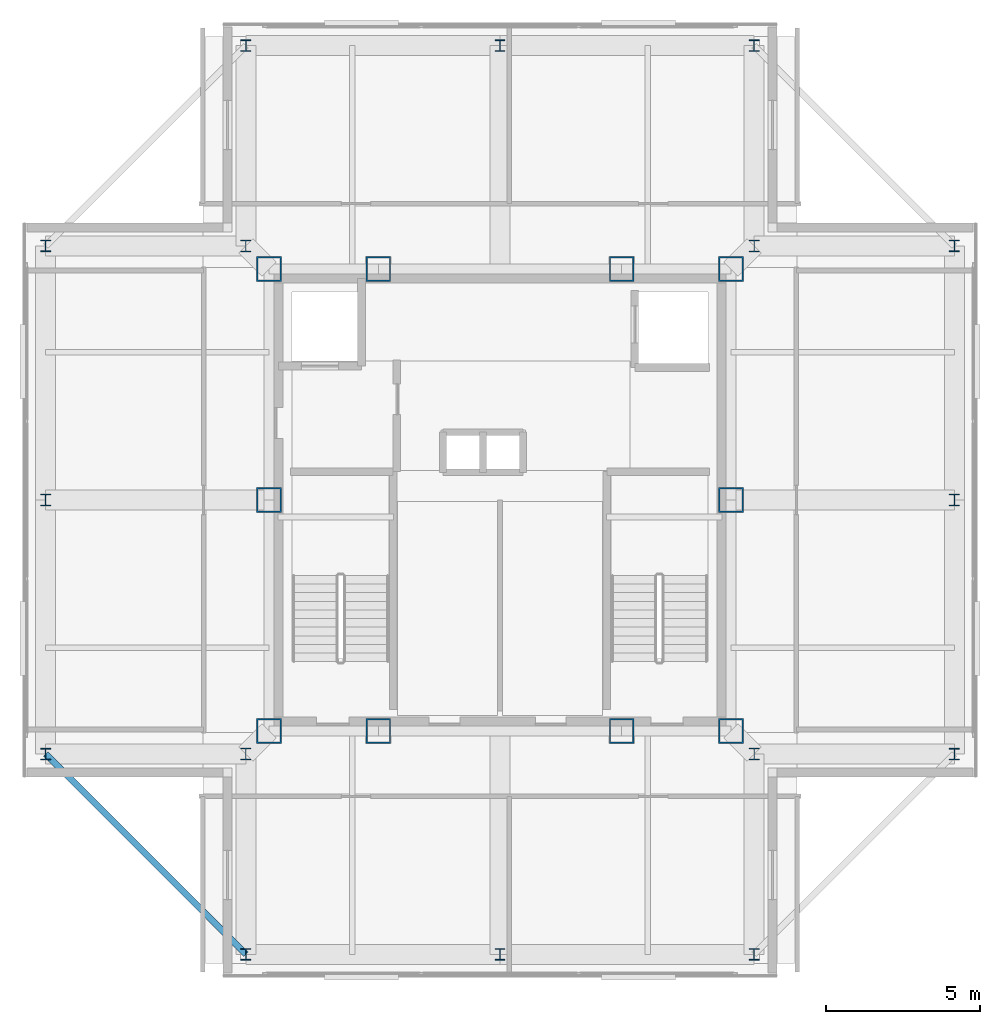
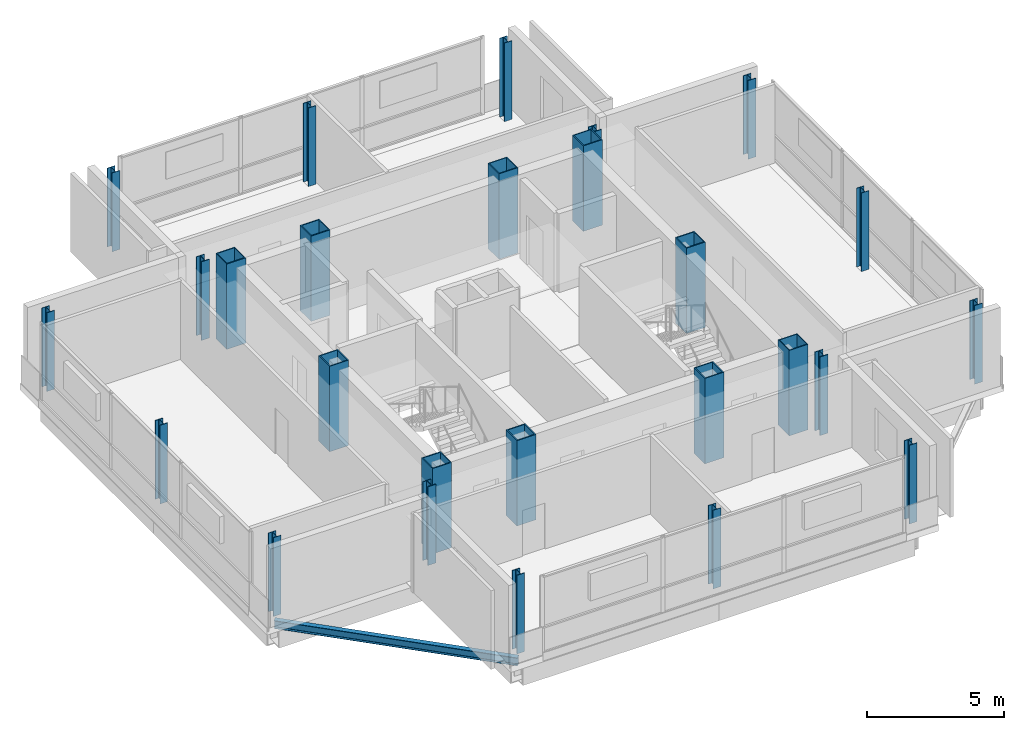
# One storey, part 1 of 10: 26 columns, 1 beam.
"""IFC4 building model written with IfcOpenShell, lengths in metres."""

import ifcopenshell
import ifcopenshell.guid

model = None  # the IFC model being written
_history = None  # IfcOwnerHistory: only IFC2X3 demands one
_inside = {}  # id of a spatial element -> (the spatial element, [elements in it])
_under = {}  # id of a project, library or spatial element -> (it, [spatial elements below it])
_declared = {}  # id of a project -> (the project, [libraries it declares])
_typed = {}  # id of a type object -> (the type object, [elements of that type])
_made_of = {}  # id of a material, layer set ... -> (it, [elements and type objects made of it])


def new_model(schema):
    """Start an empty IFC model of exactly this schema.

    Asked for "IFC4X3", IfcOpenShell would pick the latest addendum, in which some entities
    have other attributes; the version numbers below select the first issue.
    IFC2X3 requires an IfcOwnerHistory on every rooted entity: one is made here for all.
    """
    global model, _history
    if schema == "IFC4X3":
        model = ifcopenshell.file(schema_version=(4, 3, 0, 0))
    else:
        model = ifcopenshell.file(schema=schema)
    _inside.clear()
    _under.clear()
    _declared.clear()
    _typed.clear()
    _made_of.clear()
    _history = None
    if model.schema == "IFC2X3":
        org = make("IfcOrganization", Name="unknown")
        user = make(
            "IfcPersonAndOrganization",
            ThePerson=make("IfcPerson", FamilyName="unknown"),
            TheOrganization=org,
        )
        app = make(
            "IfcApplication",
            ApplicationDeveloper=org,
            Version="unknown",
            ApplicationFullName="unknown",
            ApplicationIdentifier="unknown",
        )
        _history = make(
            "IfcOwnerHistory",
            OwningUser=user,
            OwningApplication=app,
            ChangeAction="ADDED",
            CreationDate=0,
        )
    return model


def make(cls, **values):
    """One entity of the class cls with the attributes given. An attribute that is None is left unset."""
    return model.create_entity(
        cls, **{name: value for name, value in values.items() if value is not None}
    )


def rooted(cls, **values):
    """An entity with a GlobalId (a new one), such as an element, a storey or a relation."""
    return make(cls, GlobalId=ifcopenshell.guid.new(), OwnerHistory=_history, **values)


def si_unit(unit_type, name, prefix=None):
    """IfcSIUnit, for example si_unit("LENGTHUNIT", "METRE", prefix="MILLI")."""
    return make("IfcSIUnit", UnitType=unit_type, Prefix=prefix, Name=name)


def assignment(units):
    """IfcUnitAssignment: the units of a project."""
    return None if units is None else make("IfcUnitAssignment", Units=units)


def point(xyz):
    """IfcCartesianPoint."""
    return None if xyz is None else make("IfcCartesianPoint", Coordinates=xyz)


def direction(xyz):
    """IfcDirection."""
    return None if xyz is None else make("IfcDirection", DirectionRatios=xyz)


def frame(location, z_axis=None, x_axis=None):
    """IfcAxis2Placement3D, a coordinate frame: its origin and axes. An axis left out is left unset."""
    return make(
        "IfcAxis2Placement3D",
        Location=point(location),
        Axis=direction(z_axis),
        RefDirection=direction(x_axis),
    )


def frame_2d(location, x_axis=None):
    """IfcAxis2Placement2D, a coordinate frame in the plane: its origin and x axis."""
    return make(
        "IfcAxis2Placement2D", Location=point(location), RefDirection=direction(x_axis)
    )


def origin():
    """The frame at (0, 0, 0) with its axes left unset."""
    return frame((0.0, 0.0, 0.0))


def origin_2d():
    """The frame at (0, 0) in the plane with its x axis left unset."""
    return frame_2d((0.0, 0.0))


def place(relative_to, where):
    """IfcLocalPlacement: puts the frame where relative to a parent placement (None: the world)."""
    return make(
        "IfcLocalPlacement", PlacementRelTo=relative_to, RelativePlacement=where
    )


def context(
    kind, dimensions, precision=None, world=None, true_north=None, identifier=None
):
    """IfcGeometricRepresentationContext, for example the 3D "Model" context."""
    return make(
        "IfcGeometricRepresentationContext",
        ContextIdentifier=identifier,
        ContextType=kind,
        CoordinateSpaceDimension=dimensions,
        Precision=precision,
        WorldCoordinateSystem=world,
        TrueNorth=true_north,
    )


def subcontext(parent, identifier, kind, view, scale=None):
    """IfcGeometricRepresentationSubContext, for example "Body" below "Model"."""
    return make(
        "IfcGeometricRepresentationSubContext",
        ContextIdentifier=identifier,
        ContextType=kind,
        ParentContext=parent,
        TargetScale=scale,
        TargetView=view,
    )


def project(units=None, contexts=None):
    """IfcProject with its units and contexts."""
    return rooted(
        "IfcProject",
        Name="project",
        RepresentationContexts=contexts,
        UnitsInContext=assignment(units),
    )


def spatial(cls, under=None, at=None, **own):
    """A site, building, storey or space (cls), placed at a placement, below another one or the project."""
    s = rooted(cls, ObjectPlacement=at, **own)
    if under is not None:
        _under.setdefault(under.id(), (under, []))[1].append(s)
    return s


def profile(cls, at=None, kind="AREA", **sizes):
    """A parametric profile (cls). Its sizes go by their IFC names, for example OverallWidth=200.0."""
    return make(cls, ProfileType=kind, Position=at, **sizes)


def hollow_rectangle(**sizes):
    """IfcRectangleHollowProfileDef."""
    return profile("IfcRectangleHollowProfileDef", **sizes)


def i_section(**sizes):
    """IfcIShapeProfileDef."""
    return profile("IfcIShapeProfileDef", **sizes)


def extrude(swept, where, along, depth):
    """IfcExtrudedAreaSolid: the profile swept, set in the frame where, extruded along a direction by depth."""
    return make(
        "IfcExtrudedAreaSolid",
        SweptArea=swept,
        Position=where,
        ExtrudedDirection=direction(along),
        Depth=depth,
    )


def shape(context_of_items, identifier, shape_type, items):
    """IfcShapeRepresentation: the items that make up one representation, for example the "Body"."""
    return make(
        "IfcShapeRepresentation",
        ContextOfItems=context_of_items,
        RepresentationIdentifier=identifier,
        RepresentationType=shape_type,
        Items=items,
    )


def material(Name=None, Category=None):
    """IfcMaterial."""
    return make("IfcMaterial", Name=Name, Category=Category)


def material_profile(
    of_material, cross_section, Name=None, Category=None, Priority=None
):
    """IfcMaterialProfile: a cross section and its material."""
    return make(
        "IfcMaterialProfile",
        Name=Name,
        Material=of_material,
        Profile=cross_section,
        Priority=Priority,
        Category=Category,
    )


def profile_set(profiles, Name=None, composite=None):
    """IfcMaterialProfileSet."""
    return make(
        "IfcMaterialProfileSet",
        Name=Name,
        MaterialProfiles=profiles,
        CompositeProfile=composite,
    )


def made_of(thing, what):
    """Note that an element or type object is made of a material, layer set ...; save() writes the relation."""
    if what is not None:
        _made_of.setdefault(what.id(), (what, []))[1].append(thing)
    return thing


def type_object(cls, material=None, **own):
    """A type object (cls), such as IfcWallType, which elements share."""
    return made_of(rooted(cls, **own), material)


def element(
    cls,
    number,
    at=None,
    inside=None,
    cuts=None,
    type_object=None,
    material=None,
    context=None,
    identifier="Body",
    shape_type=None,
    held_by="IfcProductDefinitionShape",
    body=None,
    shapes=None,
    **own,
):
    """One element of the class cls, such as IfcWall. Its Tag is "e" and its number.

    at: its placement. inside: the storey or other place that contains it. cuts: it is an
    opening in that element (IfcRelVoidsElement). A single representation is given by context,
    identifier, shape_type and body (its items); several are given by shapes. held_by: the class
    of the entity that holds the representations. save() writes the other relations.
    """
    e = rooted(cls, Tag="e%d" % number, ObjectPlacement=at, **own)
    if body is not None:
        shapes = [shape(context, identifier, shape_type, body)]
    if shapes is not None:
        e.Representation = make(held_by, Representations=shapes)
    if inside is not None:
        _inside.setdefault(inside.id(), (inside, []))[1].append(e)
    if cuts is not None:
        rooted(
            "IfcRelVoidsElement", RelatingBuildingElement=cuts, RelatedOpeningElement=e
        )
    if type_object is not None:
        _typed.setdefault(type_object.id(), (type_object, []))[1].append(e)
    return made_of(e, material)


def aggregate(whole, parts):
    """IfcRelAggregates: a whole, such as a stair, and the parts it consists of."""
    return rooted("IfcRelAggregates", RelatingObject=whole, RelatedObjects=parts)


def save(model, path):
    """Write the relations noted so far, then the file.

    IfcRelAggregates (storeys below a building ...), IfcRelContainedInSpatialStructure (elements
    in a storey), IfcRelDefinesByType, IfcRelAssociatesMaterial and IfcRelDeclares: one each for
    every whole, place, type object, material and project.
    """
    for whole, parts in _under.values():
        aggregate(whole, parts)
    for where, things in _inside.values():
        rooted(
            "IfcRelContainedInSpatialStructure",
            RelatedElements=things,
            RelatingStructure=where,
        )
    for kind, things in _typed.values():
        rooted("IfcRelDefinesByType", RelatedObjects=things, RelatingType=kind)
    for what, things in _made_of.values():
        rooted("IfcRelAssociatesMaterial", RelatedObjects=things, RelatingMaterial=what)
    for by, libraries in _declared.values():
        rooted("IfcRelDeclares", RelatingContext=by, RelatedDefinitions=libraries)
    model.write(path)


model = new_model("IFC4")

# Units and contexts
model_context = context("Model", 3, precision=1e-05, world=origin(), true_north=direction((0.0, 1.0)))
body_context = subcontext(model_context, "Body", "Model", "MODEL_VIEW")
ifc_project = project(units=[si_unit("LENGTHUNIT", "METRE"), si_unit("AREAUNIT", "SQUARE_METRE"), si_unit("VOLUMEUNIT", "CUBIC_METRE"), si_unit("PLANEANGLEUNIT", "RADIAN"), si_unit("MASSUNIT", "GRAM", prefix="KILO")], contexts=[model_context])

# Site, building, storey
site_placement = place(None, origin())
site = spatial("IfcSite", under=ifc_project, at=site_placement, CompositionType="ELEMENT")
building_placement = place(site_placement, origin())
building = spatial("IfcBuilding", under=site, at=building_placement, Name="Trevonay Congress Spire", CompositionType="ELEMENT")
storey_placement = place(building_placement, frame((0.0, 0.0, 319.800048828125)))
storey = spatial("IfcBuildingStorey", under=building, at=storey_placement, Name="L84", CompositionType="ELEMENT", Elevation=319.800048828125)

# Columns
ifc_material = material(Name="Steel ASTM A572 Grade 50", Category="steel")
ifc_material_profile_1 = material_profile(ifc_material, hollow_rectangle(XDim=0.800048828125, YDim=0.800048828125, WallThickness=0.0400390625, at=origin_2d()), Name="BOX 800x800x40")
ifc_profile_set_1 = profile_set([ifc_material_profile_1], Name="Steel ASTM A572 Grade 50")
column_type_1 = type_object("IfcColumnType", Name="COL-CORE-BOX800", PredefinedType="COLUMN", material=ifc_profile_set_1)
for number, where, z_axis, x_axis, name in (
    (1, (-7.5, -7.5, 0.0), (0.0, 0.0, 1.0), (1.0, 0.0, 0.0), "L84 column C05 at CC-SW"),
    (2, (-3.949951171875, -7.5, 0.0), (0.0, 0.0, 1.0), (1.0, 0.0, 0.0), "L84 column C05 at CC-SMW"),
    (3, (3.949951171875, -7.5, 0.0), (0.0, 0.0, 1.0), (1.0, 0.0, 0.0), "L84 column C05 at CC-SME"),
    (4, (7.5, -7.5, 0.0), (0.0, 0.0, 1.0), (1.0, 0.0, 0.0), "L84 column C05 at CC-SE"),
    (5, (7.5, 0.0, 0.0), (0.0, 0.0, 1.0), (1.0, 0.0, 0.0), "L84 column C05 at CC-E"),
    (6, (7.5, 7.5, 0.0), (0.0, 0.0, 1.0), (1.0, 0.0, 0.0), "L84 column C05 at CC-NE"),
    (7, (3.949951171875, 7.5, 0.0), (0.0, 0.0, 1.0), (1.0, 0.0, 0.0), "L84 column C05 at CC-NME"),
    (8, (-3.949951171875, 7.5, 0.0), (0.0, 0.0, 1.0), (1.0, 0.0, 0.0), "L84 column C05 at CC-NMW"),
    (9, (-7.5, 7.5, 0.0), (0.0, 0.0, 1.0), (1.0, 0.0, 0.0), "L84 column C05 at CC-NW"),
    (10, (-7.5, 0.0, 0.0), (0.0, 0.0, 1.0), (1.0, 0.0, 0.0), "L84 column C05 at CC-W"),
):
    element("IfcColumn", number, at=place(storey_placement, frame(where, z_axis=z_axis, x_axis=x_axis)), inside=storey, type_object=column_type_1, Name=name, PredefinedType="COLUMN", context=body_context, shape_type="SweptSolid", body=[
        extrude(hollow_rectangle(XDim=0.800048828125, YDim=0.800048828125, WallThickness=0.0400390625, at=origin_2d()), origin(), (0.0, 0.0, 1.0), 3.800048828125),
    ])
ifc_material_profile_2 = material_profile(ifc_material, i_section(OverallWidth=0.322021484375, OverallDepth=0.3720703125, WebThickness=0.014404296875, FlangeThickness=0.023681640625, FilletRadius=0.02001953125, at=origin_2d()), Name="W360x196")
ifc_profile_set_2 = profile_set([ifc_material_profile_2], Name="Steel ASTM A572 Grade 50")
column_type_2 = type_object("IfcColumnType", Name="COL-CROWN-W360X196", PredefinedType="COLUMN", material=ifc_profile_set_2)
for number, where, z_axis, x_axis, name in (
    (11, (-8.25, -14.75, 0.0), (0.0, 0.0, 1.0), (1.0, 0.0, 0.0), "L84 column C18 at TS-1"),
    (12, (-8.25, 14.75, 0.0), (0.0, 0.0, 1.0), (1.0, 0.0, 0.0), "L84 column C18 at TN-1"),
    (13, (-14.75, -8.25, 0.0), (0.0, 0.0, 1.0), (1.0, 0.0, 0.0), "L84 column C18 at TW-1"),
    (14, (14.75, -8.25, 0.0), (0.0, 0.0, 1.0), (1.0, 0.0, 0.0), "L84 column C18 at TE-1"),
    (15, (0.0, -14.75, 0.0), (0.0, 0.0, 1.0), (1.0, 0.0, 0.0), "L84 column C18 at TS-2"),
    (16, (0.0, 14.75, 0.0), (0.0, 0.0, 1.0), (1.0, 0.0, 0.0), "L84 column C18 at TN-2"),
    (17, (-14.75, 0.0, 0.0), (0.0, 0.0, 1.0), (1.0, 0.0, 0.0), "L84 column C18 at TW-2"),
    (18, (14.75, 0.0, 0.0), (0.0, 0.0, 1.0), (1.0, 0.0, 0.0), "L84 column C18 at TE-2"),
    (19, (8.25, -14.75, 0.0), (0.0, 0.0, 1.0), (1.0, 0.0, 0.0), "L84 column C18 at TS-3"),
    (20, (8.25, 14.75, 0.0), (0.0, 0.0, 1.0), (1.0, 0.0, 0.0), "L84 column C18 at TN-3"),
    (21, (-14.75, 8.25, 0.0), (0.0, 0.0, 1.0), (1.0, 0.0, 0.0), "L84 column C18 at TW-3"),
    (22, (14.75, 8.25, 0.0), (0.0, 0.0, 1.0), (1.0, 0.0, 0.0), "L84 column C18 at TE-3"),
):
    element("IfcColumn", number, at=place(storey_placement, frame(where, z_axis=z_axis, x_axis=x_axis)), inside=storey, type_object=column_type_2, Name=name, PredefinedType="COLUMN", context=body_context, shape_type="SweptSolid", body=[
        extrude(i_section(OverallWidth=0.322021484375, OverallDepth=0.3720703125, WebThickness=0.014404296875, FlangeThickness=0.023681640625, FilletRadius=0.02001953125, at=origin_2d()), origin(), (0.0, 0.0, 1.0), 3.5),
    ])
ifc_material_profile_3 = material_profile(ifc_material, i_section(OverallWidth=0.340087890625, OverallDepth=0.39306640625, WebThickness=0.020263671875, FlangeThickness=0.033203125, FilletRadius=0.02001953125, at=origin_2d()), Name="W360x287")
ifc_profile_set_3 = profile_set([ifc_material_profile_3], Name="Steel ASTM A572 Grade 50")
column_type_3 = type_object("IfcColumnType", Name="COL-CROWN-W360X287", PredefinedType="COLUMN", material=ifc_profile_set_3)
for number, where, z_axis, x_axis, name in (
    (23, (-8.25, -8.25, 0.0), (0.0, 0.0, 1.0), (1.0, 0.0, 0.0), "L84 column C20 at NC-SW"),
    (24, (8.25, -8.25, 0.0), (0.0, 0.0, 1.0), (1.0, 0.0, 0.0), "L84 column C20 at NC-SE"),
    (25, (8.25, 8.25, 0.0), (0.0, 0.0, 1.0), (1.0, 0.0, 0.0), "L84 column C20 at NC-NE"),
    (26, (-8.25, 8.25, 0.0), (0.0, 0.0, 1.0), (1.0, 0.0, 0.0), "L84 column C20 at NC-NW"),
):
    element("IfcColumn", number, at=place(storey_placement, frame(where, z_axis=z_axis, x_axis=x_axis)), inside=storey, type_object=column_type_3, Name=name, PredefinedType="COLUMN", context=body_context, shape_type="SweptSolid", body=[
        extrude(i_section(OverallWidth=0.340087890625, OverallDepth=0.39306640625, WebThickness=0.020263671875, FlangeThickness=0.033203125, FilletRadius=0.02001953125, at=origin_2d()), origin(), (0.0, 0.0, 1.0), 3.5),
    ])

# Beam
ifc_material_profile_4 = material_profile(ifc_material, i_section(OverallWidth=0.205078125, OverallDepth=0.35400390625, WebThickness=0.009521484375, FlangeThickness=0.016845703125, FilletRadius=0.011962890625, at=origin_2d()), Name="W360x79")
ifc_profile_set_4 = profile_set([ifc_material_profile_4], Name="Steel ASTM A572 Grade 50")
beam_type = type_object("IfcBeamType", Name="SPB-HSS350", PredefinedType="SPANDREL", material=ifc_profile_set_4)
beam_placement = place(storey_placement, frame((-8.25, -14.75, -0.45703125), z_axis=(-0.707106781187, 0.707106781187, 0.0), x_axis=(-0.707106781187, -0.707106781187, 0.0)))
element("IfcBeam", 27, at=beam_placement, inside=storey, type_object=beam_type, Name="L84 structural beam SPB-L84-SW", PredefinedType="SPANDREL", context=body_context, shape_type="SweptSolid", body=[
    extrude(i_section(OverallWidth=0.205078125, OverallDepth=0.35400390625, WebThickness=0.009521484375, FlangeThickness=0.016845703125, FilletRadius=0.011962890625, at=origin_2d()), origin(), (0.0, 0.0, 1.0), 9.1923828125),
])

save(model, "model.ifc")
